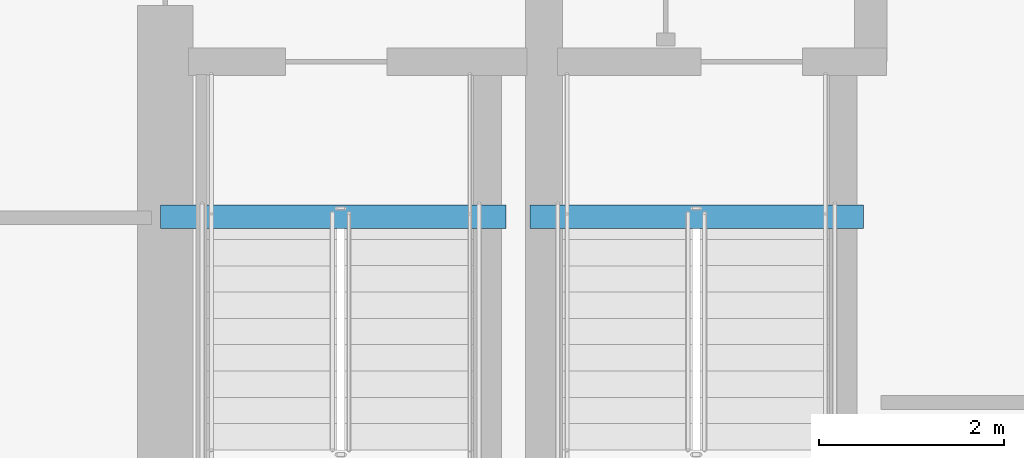
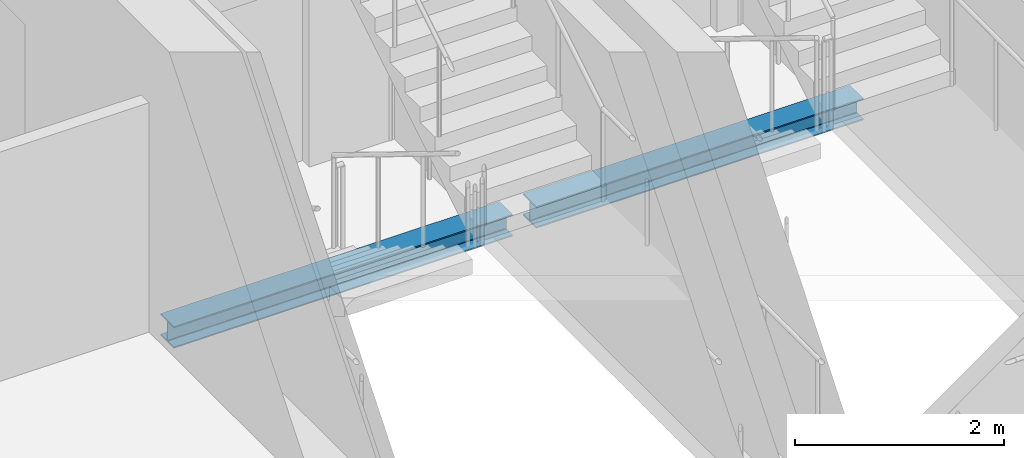
# One storey, part 7 of 22: 2 beams.
"""IFC4 building model written with IfcOpenShell, lengths in metres."""

from ifc_helpers import new_model, si_unit, direction, frame, origin, origin_2d, place, context, subcontext, project, spatial, i_section, extrude, material, material_profile, profile_set, type_object, element, save


model = new_model("IFC4")

# Units and contexts
model_context = context("Model", 3, precision=1e-05, world=origin(), true_north=direction((0.0, 1.0)))
body_context = subcontext(model_context, "Body", "Model", "MODEL_VIEW")
ifc_project = project(units=[si_unit("LENGTHUNIT", "METRE"), si_unit("AREAUNIT", "SQUARE_METRE"), si_unit("VOLUMEUNIT", "CUBIC_METRE"), si_unit("PLANEANGLEUNIT", "RADIAN"), si_unit("MASSUNIT", "GRAM", prefix="KILO")], contexts=[model_context])

# Site, building, storey
site_placement = place(None, origin())
site = spatial("IfcSite", under=ifc_project, at=site_placement, CompositionType="ELEMENT")
building_placement = place(site_placement, origin())
building = spatial("IfcBuilding", under=site, at=building_placement, Name="Bramvorn Convention Spire", CompositionType="ELEMENT")
storey_placement = place(building_placement, frame((0.0, 0.0, 137.800048828125)))
storey = spatial("IfcBuildingStorey", under=building, at=storey_placement, Name="L34", CompositionType="ELEMENT", Elevation=137.800048828125)

# Beams
ifc_material = material(Name="Steel CSA G40.21 Grade 350 (350W)", Category="steel")
ifc_material_profile = material_profile(ifc_material, i_section(OverallWidth=0.25390625, OverallDepth=0.2529296875, WebThickness=0.008544921875, FlangeThickness=0.01416015625, FilletRadius=0.011962890625, at=origin_2d()))
ifc_profile_set = profile_set([ifc_material_profile], Name="Steel CSA G40.21 Grade 350 (350W) - W250X73")
beam_type = type_object("IfcBeamType", Name="BM-W250X73", PredefinedType="BEAM", material=ifc_profile_set)
beam_1_placement = place(storey_placement, frame((26.949951171875, 25.010009765625, -0.12646484375), z_axis=(1.0, 0.0, 0.0), x_axis=(0.0, 1.0, 0.0)))
element("IfcBeam", 1, at=beam_1_placement, inside=storey, type_object=beam_type, Name="L34 ST1 stair arrival header beam", PredefinedType="BEAM", context=body_context, shape_type="SweptSolid", body=[
    extrude(i_section(OverallWidth=0.25390625, OverallDepth=0.2529296875, WebThickness=0.008544921875, FlangeThickness=0.01416015625, FilletRadius=0.011962890625, at=origin_2d()), origin(), (0.0, 0.0, 1.0), 3.739990234375),
])
beam_2_placement = place(storey_placement, frame((30.949951171875, 25.010009765625, -0.12646484375), z_axis=(1.0, 0.0, 0.0), x_axis=(0.0, 1.0, 0.0)))
element("IfcBeam", 2, at=beam_2_placement, inside=storey, type_object=beam_type, Name="L34 ST3 stair arrival header beam", PredefinedType="BEAM", context=body_context, shape_type="SweptSolid", body=[
    extrude(i_section(OverallWidth=0.25390625, OverallDepth=0.2529296875, WebThickness=0.008544921875, FlangeThickness=0.01416015625, FilletRadius=0.011962890625, at=origin_2d()), origin(), (0.0, 0.0, 1.0), 3.610107421875),
])

save(model, "model.ifc")
